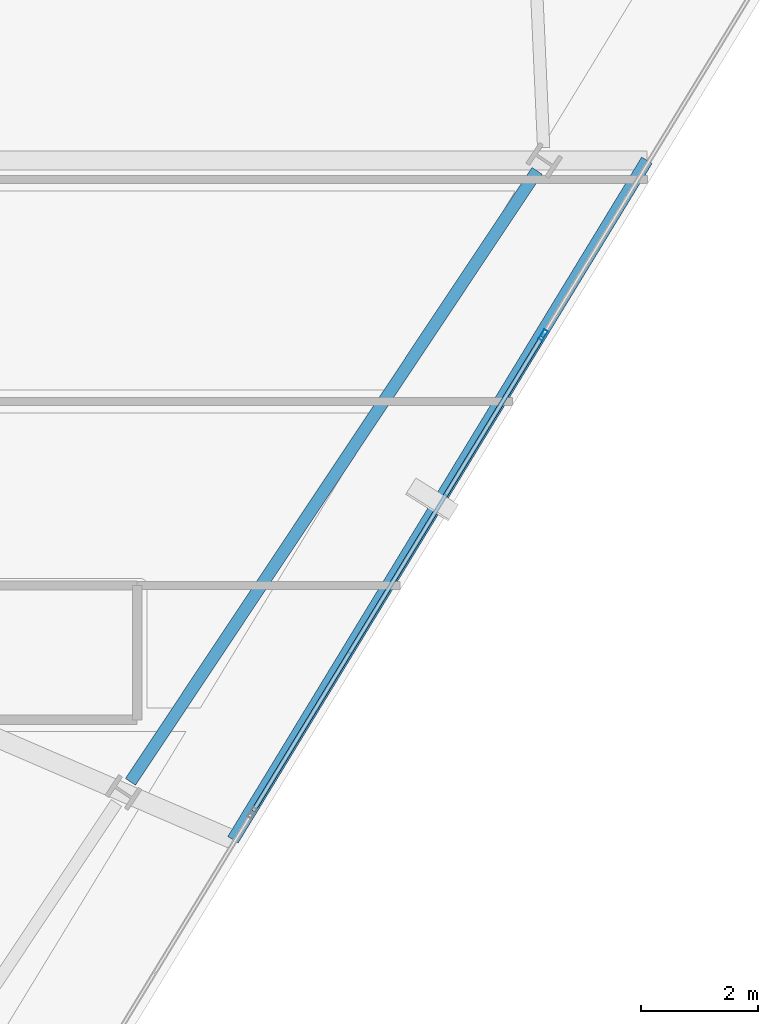
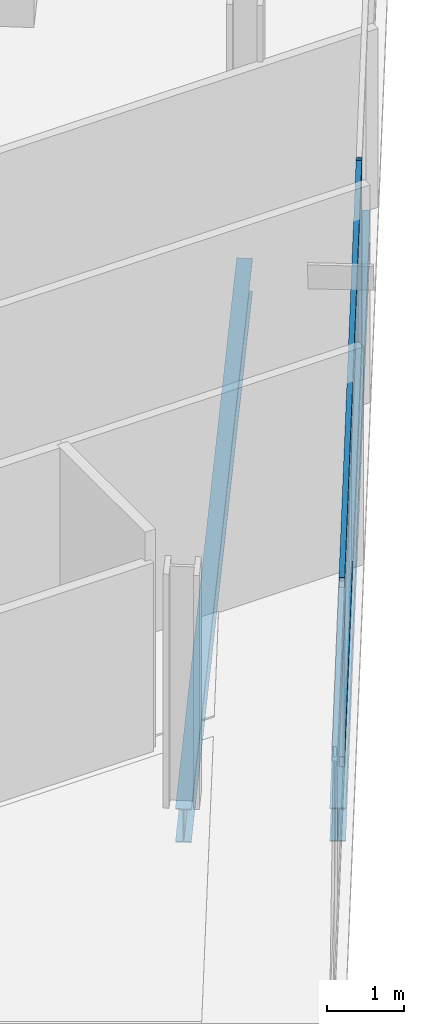
# One storey, part 11 of 28: 3 members, 2 beams, 1 element without a shape of its own.
"""IFC4 building model written with IfcOpenShell, lengths in metres."""

from ifc_helpers import new_model, si_unit, direction, frame, origin, origin_2d, place, context, subcontext, project, spatial, hollow_rectangle, i_section, extrude, material, material_profile, profile_set, type_object, element, aggregate, save


model = new_model("IFC4")

# Units and contexts
model_context = context("Model", 3, precision=1e-05, world=origin(), true_north=direction((0.0, 1.0)))
body_context = subcontext(model_context, "Body", "Model", "MODEL_VIEW")
ifc_project = project(units=[si_unit("LENGTHUNIT", "METRE"), si_unit("AREAUNIT", "SQUARE_METRE"), si_unit("VOLUMEUNIT", "CUBIC_METRE"), si_unit("PLANEANGLEUNIT", "RADIAN"), si_unit("MASSUNIT", "GRAM", prefix="KILO")], contexts=[model_context])

# Site, building, storey
site_placement = place(None, origin())
site = spatial("IfcSite", under=ifc_project, at=site_placement, CompositionType="ELEMENT")
building_placement = place(site_placement, origin())
building = spatial("IfcBuilding", under=site, at=building_placement, Name="Haldenkirk Collegiate Tower", CompositionType="ELEMENT")
storey_placement = place(building_placement, frame((0.0, 0.0, 224.699951171875)))
storey = spatial("IfcBuildingStorey", under=building, at=storey_placement, Name="L56", CompositionType="ELEMENT", Elevation=224.699951171875)

# Beams
ifc_material_1 = material(Name="Steel ASTM A992 Grade 50", Category="steel")
ifc_material_profile_1 = material_profile(ifc_material_1, i_section(OverallWidth=0.2099609375, OverallDepth=0.537109375, WebThickness=0.010986328125, FlangeThickness=0.017333984375, at=origin_2d()), Name="W21X68")
ifc_profile_set_1 = profile_set([ifc_material_profile_1], Name="Steel ASTM A992 Grade 50")
beam_type = type_object("IfcBeamType", Name="BM-SPANDREL-W21X68", PredefinedType="SPANDREL", material=ifc_profile_set_1)
beam_1_placement = place(storey_placement, frame((53.6845703125, 14.48876953125, -0.54833984375), z_axis=(0.554125989098, 0.832432813028, 0.0), x_axis=(-0.832432813028, 0.554125989098, 0.0)))
element("IfcBeam", 1, at=beam_1_placement, inside=storey, type_object=beam_type, Name="L56 perimeter spandrel beam 03", PredefinedType="SPANDREL", context=body_context, shape_type="SweptSolid", body=[
    extrude(i_section(OverallWidth=0.2099609375, OverallDepth=0.537109375, WebThickness=0.010986328125, FlangeThickness=0.017333984375, at=origin_2d()), origin(), (0.0, 0.0, 1.0), 12.56201171875),
])
beam_2_placement = place(storey_placement, frame((55.439697265625, 13.499755859375, -0.54833984375), z_axis=(0.520262080943, 0.854006655204, 0.0), x_axis=(-0.854006655204, 0.520262080943, 0.0)))
element("IfcBeam", 2, at=beam_2_placement, inside=storey, type_object=beam_type, Name="L56 outer facade edge beam 1", PredefinedType="SPANDREL", context=body_context, shape_type="SweptSolid", body=[
    extrude(i_section(OverallWidth=0.2099609375, OverallDepth=0.537109375, WebThickness=0.010986328125, FlangeThickness=0.017333984375, at=origin_2d()), origin(), (0.0, 0.0, 1.0), 13.6142578125),
])

# Curtain wall, members
ifc_material_2 = material(Name="Anodised architectural bronze aluminium", Category="aluminium")
curtain_wall_type = type_object("IfcCurtainWallType", Name="CW-SYS2-CONCAVE", PredefinedType="USERDEFINED", material=ifc_material_2)
curtain_wall_placement = place(storey_placement, origin())
curtain_wall = element("IfcCurtainWall", 3, at=curtain_wall_placement, inside=storey, type_object=curtain_wall_type, Name="L56 South concave recessed bronze-anodised curtain wall", ObjectType="UNITISED CURTAIN WALL", PredefinedType="USERDEFINED")
ifc_material_profile_2 = material_profile(ifc_material_2, hollow_rectangle(XDim=0.074951171875, YDim=0.18994140625, WallThickness=0.0048828125, at=origin_2d()), Name="CW-MUL-02")
ifc_profile_set_2 = profile_set([ifc_material_profile_2], Name="Anodised architectural bronze aluminium")
member_type_1 = type_object("IfcMemberType", Name="CW-MUL-02", PredefinedType="MULLION", material=ifc_profile_set_2)
member_1_placement = place(storey_placement, frame((60.74755859375, 22.135498046875, 0.0), z_axis=(0.0, 0.0, 1.0), x_axis=(0.854004384454, -0.520265808345, 0.0)))
member_1 = element("IfcMember", 4, at=member_1_placement, type_object=member_type_1, Name="CW-02 mullion 2", PredefinedType="MULLION", context=body_context, shape_type="SweptSolid", body=[
    extrude(hollow_rectangle(XDim=0.074951171875, YDim=0.18994140625, WallThickness=0.0048828125, at=origin_2d()), origin(), (0.0, 0.0, 1.0), 2.927978515625),
])
ifc_material_profile_3 = material_profile(ifc_material_2, hollow_rectangle(XDim=0.074951171875, YDim=0.159912109375, WallThickness=0.0048828125, at=origin_2d()), Name="CW-TRN-02")
ifc_profile_set_3 = profile_set([ifc_material_profile_3], Name="Anodised architectural bronze aluminium")
member_type_2 = type_object("IfcMemberType", Name="CW-TRN-02", PredefinedType="USERDEFINED", material=ifc_profile_set_3)
member_2_placement = place(storey_placement, frame((60.72802734375, 22.103515625, 0.03759765625), z_axis=(-0.52027383402, -0.853999495102, 0.0), x_axis=(0.853999495102, -0.52027383402, 0.0)))
member_2 = element("IfcMember", 5, at=member_2_placement, type_object=member_type_2, Name="CW-02 transom 2.1", ObjectType="TRANSOM", PredefinedType="USERDEFINED", context=body_context, shape_type="SweptSolid", body=[
    extrude(hollow_rectangle(XDim=0.074951171875, YDim=0.159912109375, WallThickness=0.0048828125, at=origin_2d()), origin(), (0.0, 0.0, 1.0), 9.5),
])
member_3_placement = place(storey_placement, frame((60.72802734375, 22.103515625, 2.890625), z_axis=(-0.52027383402, -0.853999495102, 0.0), x_axis=(0.853999495102, -0.52027383402, 0.0)))
member_3 = element("IfcMember", 6, at=member_3_placement, type_object=member_type_2, Name="CW-02 transom 2.2", ObjectType="TRANSOM", PredefinedType="USERDEFINED", context=body_context, shape_type="SweptSolid", body=[
    extrude(hollow_rectangle(XDim=0.074951171875, YDim=0.159912109375, WallThickness=0.0048828125, at=origin_2d()), origin(), (0.0, 0.0, 1.0), 9.5),
])
aggregate(curtain_wall, [member_1, member_2, member_3])

save(model, "model.ifc")
